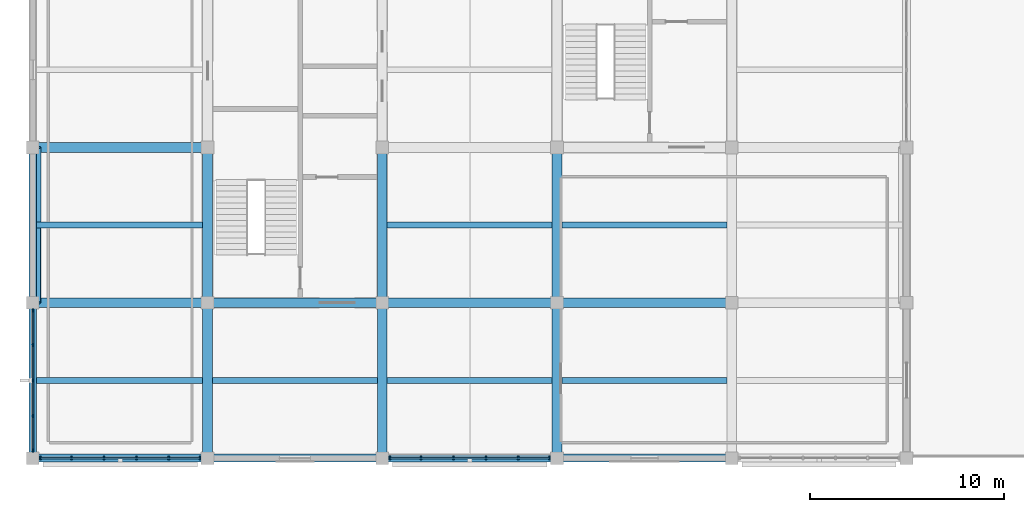
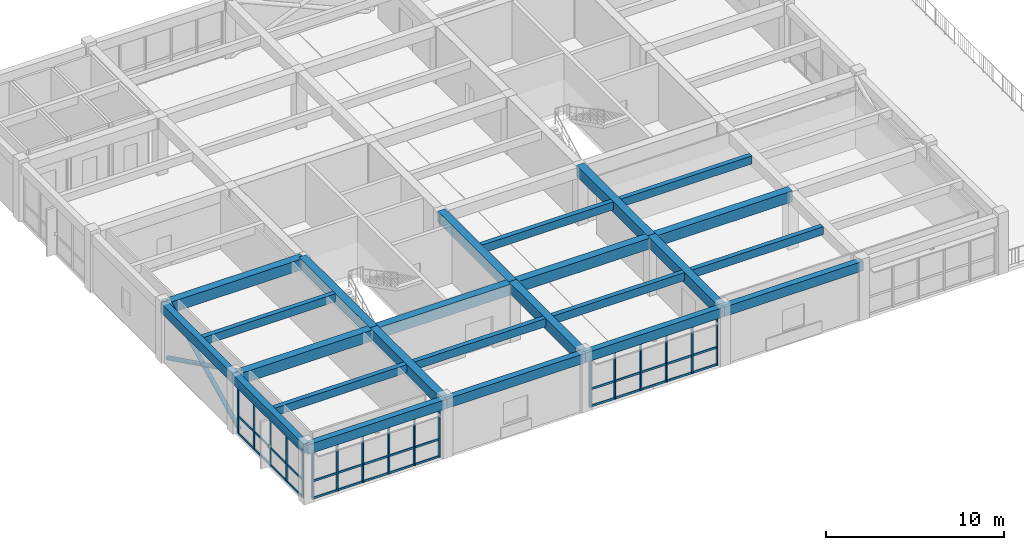
# One storey, part 2 of 12: 28 members, 24 beams, 3 elements without a shape of their own.
"""IFC4 building model written with IfcOpenShell, lengths in metres."""

from ifc_helpers import new_model, si_unit, direction, frame, origin, origin_2d, place, context, subcontext, project, spatial, rectangle, hollow_circle, extrude, material, material_profile, profile_set, type_object, element, aggregate, save


model = new_model("IFC4")

# Units and contexts
model_context = context("Model", 3, precision=1e-05, world=origin(), true_north=direction((0.0, 1.0)))
body_context = subcontext(model_context, "Body", "Model", "MODEL_VIEW")
ifc_project = project(units=[si_unit("LENGTHUNIT", "METRE"), si_unit("AREAUNIT", "SQUARE_METRE"), si_unit("VOLUMEUNIT", "CUBIC_METRE"), si_unit("PLANEANGLEUNIT", "RADIAN"), si_unit("MASSUNIT", "GRAM", prefix="KILO")], contexts=[model_context])

# Site, building, storey
site_placement = place(None, origin())
site = spatial("IfcSite", under=ifc_project, at=site_placement, CompositionType="ELEMENT")
building_placement = place(site_placement, origin())
building = spatial("IfcBuilding", under=site, at=building_placement, Name="Zaverband Oceanarium and Marine Research Institute", CompositionType="ELEMENT")
storey_placement = place(building_placement, frame((0.0, 0.0, 68.699951171875)))
storey = spatial("IfcBuildingStorey", under=building, at=storey_placement, Name="L17", CompositionType="ELEMENT", Elevation=68.699951171875)

# Beams
ifc_material_1 = material(Name="Concrete C40/50", Category="concrete")
ifc_material_profile_1 = material_profile(ifc_material_1, rectangle(XDim=0.5, YDim=0.75, at=origin_2d()), Name="RC500x750")
ifc_profile_set_1 = profile_set([ifc_material_profile_1], Name="Concrete C40/50")
beam_type_1 = type_object("IfcBeamType", Name="BM-500x750", PredefinedType="BEAM", material=ifc_profile_set_1)
for number, where, z_axis, x_axis, name in (
    (1, (9.0, 80.0, 3.56494140625), (1.0, 0.0, 0.0), (0.0, 1.0, 0.0), "Primary floor girder BM-500x750"),
    (2, (18.0, 80.0, 3.56494140625), (1.0, 0.0, 0.0), (0.0, 1.0, 0.0), "Primary floor girder BM-500x750"),
    (3, (27.0, 80.0, 3.56494140625), (1.0, 0.0, 0.0), (0.0, 1.0, 0.0), "Primary floor girder BM-500x750"),
    (4, (36.0, 80.0, 3.56494140625), (1.0, 0.0, 0.0), (0.0, 1.0, 0.0), "Primary floor girder BM-500x750"),
    (5, (9.0, 88.0, 3.56494140625), (1.0, 0.0, 0.0), (0.0, 1.0, 0.0), "Primary floor girder BM-500x750"),
):
    element("IfcBeam", number, at=place(storey_placement, frame(where, z_axis=z_axis, x_axis=x_axis)), inside=storey, type_object=beam_type_1, Name=name, PredefinedType="BEAM", context=body_context, shape_type="SweptSolid", body=[
        extrude(rectangle(XDim=0.5, YDim=0.75, at=origin_2d()), origin(), (0.0, 0.0, 1.0), 9.0),
    ])
for number, where, z_axis, x_axis, name in (
    (6, (18.0, 72.0, 3.56494140625), (0.0, 1.0, 0.0), (-1.0, 0.0, 0.0), "Primary floor girder BM-500x750"),
    (7, (18.0, 80.0, 3.56494140625), (0.0, 1.0, 0.0), (-1.0, 0.0, 0.0), "Primary floor girder BM-500x750"),
    (8, (27.0, 72.0, 3.56494140625), (0.0, 1.0, 0.0), (-1.0, 0.0, 0.0), "Primary floor girder BM-500x750"),
    (9, (27.0, 80.0, 3.56494140625), (0.0, 1.0, 0.0), (-1.0, 0.0, 0.0), "Primary floor girder BM-500x750"),
    (10, (36.0, 72.0, 3.56494140625), (0.0, 1.0, 0.0), (-1.0, 0.0, 0.0), "Primary floor girder BM-500x750"),
    (11, (36.0, 80.0, 3.56494140625), (0.0, 1.0, 0.0), (-1.0, 0.0, 0.0), "Primary floor girder BM-500x750"),
):
    element("IfcBeam", number, at=place(storey_placement, frame(where, z_axis=z_axis, x_axis=x_axis)), inside=storey, type_object=beam_type_1, Name=name, PredefinedType="BEAM", context=body_context, shape_type="SweptSolid", body=[
        extrude(rectangle(XDim=0.5, YDim=0.75, at=origin_2d()), origin(), (0.0, 0.0, 1.0), 8.0),
    ])

# Members
ifc_material_2 = material(Name="Steel S355", Category="steel")
ifc_material_profile_2 = material_profile(ifc_material_2, hollow_circle(Radius=0.136474609375, WallThickness=0.010009765625, at=origin_2d()), Name="CHS273x10")
ifc_profile_set_2 = profile_set([ifc_material_profile_2], Name="Steel S355")
member_type_1 = type_object("IfcMemberType", Name="BR-01", PredefinedType="BRACE", material=ifc_profile_set_2)
for number, where, z_axis, x_axis, name in (
    (12, (9.280029296875, 80.0, 0.0), (0.0, 0.897104905927, 0.441817595577), (-1.0, 0.0, 0.0), "Diagonal lateral brace BR-01"),
    (13, (9.280029296875, 88.0, 0.0), (0.0, -0.897104905927, 0.441817595577), (1.0, 0.0, 0.0), "Diagonal lateral brace BR-01"),
):
    element("IfcMember", number, at=place(storey_placement, frame(where, z_axis=z_axis, x_axis=x_axis)), inside=storey, type_object=member_type_1, Name=name, PredefinedType="BRACE", context=body_context, shape_type="SweptSolid", body=[
        extrude(hollow_circle(Radius=0.136474609375, WallThickness=0.010009765625, at=origin_2d()), origin(), (0.0, 0.0, 1.0), 8.91748046875),
    ])

# Beams
ifc_material_profile_3 = material_profile(ifc_material_1, rectangle(XDim=0.300048828125, YDim=0.550048828125, at=origin_2d()), Name="RC300x550")
ifc_profile_set_3 = profile_set([ifc_material_profile_3], Name="Concrete C40/50")
beam_type_2 = type_object("IfcBeamType", Name="JST-300x550", PredefinedType="JOIST", material=ifc_profile_set_3)
for number, where, z_axis, x_axis, name in (
    (14, (9.199951171875, 76.0, 3.6650390625), (1.0, 0.0, 0.0), (0.0, 1.0, 0.0), "Secondary floor joist JST-300x550"),
    (15, (9.199951171875, 84.0, 3.6650390625), (1.0, 0.0, 0.0), (0.0, 1.0, 0.0), "Secondary floor joist JST-300x550"),
):
    element("IfcBeam", number, at=place(storey_placement, frame(where, z_axis=z_axis, x_axis=x_axis)), inside=storey, type_object=beam_type_2, Name=name, PredefinedType="JOIST", context=body_context, shape_type="SweptSolid", body=[
        extrude(rectangle(XDim=0.300048828125, YDim=0.550048828125, at=origin_2d()), origin(), (0.0, 0.0, 1.0), 8.550048828125),
    ])
for number, where, z_axis, x_axis, name in (
    (16, (18.25, 76.0, 3.6650390625), (1.0, 0.0, 0.0), (0.0, 1.0, 0.0), "Secondary floor joist JST-300x550"),
    (17, (27.25, 76.0, 3.6650390625), (1.0, 0.0, 0.0), (0.0, 1.0, 0.0), "Secondary floor joist JST-300x550"),
    (18, (27.25, 84.0, 3.6650390625), (1.0, 0.0, 0.0), (0.0, 1.0, 0.0), "Secondary floor joist JST-300x550"),
    (19, (36.25, 76.0, 3.6650390625), (1.0, 0.0, 0.0), (0.0, 1.0, 0.0), "Secondary floor joist JST-300x550"),
    (20, (36.25, 84.0, 3.6650390625), (1.0, 0.0, 0.0), (0.0, 1.0, 0.0), "Secondary floor joist JST-300x550"),
):
    element("IfcBeam", number, at=place(storey_placement, frame(where, z_axis=z_axis, x_axis=x_axis)), inside=storey, type_object=beam_type_2, Name=name, PredefinedType="JOIST", context=body_context, shape_type="SweptSolid", body=[
        extrude(rectangle(XDim=0.300048828125, YDim=0.550048828125, at=origin_2d()), origin(), (0.0, 0.0, 1.0), 8.5),
    ])

# Curtain wall, members
ifc_material_3 = material(Name="Thermally broken anodized aluminium and solar-control glass", Category="aluminium")
curtain_wall_type = type_object("IfcCurtainWallType", Name="CW-UNIT-1800", PredefinedType="NOTDEFINED", material=ifc_material_3)
curtain_wall_1_placement = place(storey_placement, origin())
curtain_wall_1 = element("IfcCurtainWall", 21, at=curtain_wall_1_placement, inside=storey, type_object=curtain_wall_type, Name="Unitised glazed curtain wall CW-174", PredefinedType="NOTDEFINED")
ifc_material_4 = material(Name="Thermally broken anodized aluminium", Category="aluminium")
ifc_material_profile_4 = material_profile(ifc_material_4, rectangle(XDim=0.080078125, YDim=0.179931640625, at=origin_2d()), Name="AL-MUL-80x180")
ifc_profile_set_4 = profile_set([ifc_material_profile_4], Name="Thermally broken anodized aluminium")
member_type_2 = type_object("IfcMemberType", Name="MUL-80x180", PredefinedType="MULLION", material=ifc_profile_set_4)
member_1_placement = place(storey_placement, frame((9.389892578125, 72.0, 0.0), z_axis=(0.0, 0.0, 1.0), x_axis=(1.0, 0.0, 0.0)))
member_1 = element("IfcMember", 22, at=member_1_placement, type_object=member_type_2, Name="Curtain wall vertical mullion MUL-80x180", PredefinedType="MULLION", context=body_context, shape_type="SweptSolid", body=[
    extrude(rectangle(XDim=0.080078125, YDim=0.179931640625, at=origin_2d()), origin(), (0.0, 0.0, 1.0), 3.27001953125),
])
member_2_placement = place(storey_placement, frame((10.998046875, 72.0, 0.0), z_axis=(0.0, 0.0, 1.0), x_axis=(1.0, 0.0, 0.0)))
member_2 = element("IfcMember", 23, at=member_2_placement, type_object=member_type_2, Name="Curtain wall vertical mullion MUL-80x180", PredefinedType="MULLION", context=body_context, shape_type="SweptSolid", body=[
    extrude(rectangle(XDim=0.080078125, YDim=0.179931640625, at=origin_2d()), origin(), (0.0, 0.0, 1.0), 3.27001953125),
])
member_3_placement = place(storey_placement, frame((12.666015625, 72.0, 0.0), z_axis=(0.0, 0.0, 1.0), x_axis=(1.0, 0.0, 0.0)))
member_3 = element("IfcMember", 24, at=member_3_placement, type_object=member_type_2, Name="Curtain wall vertical mullion MUL-80x180", PredefinedType="MULLION", context=body_context, shape_type="SweptSolid", body=[
    extrude(rectangle(XDim=0.080078125, YDim=0.179931640625, at=origin_2d()), origin(), (0.0, 0.0, 1.0), 3.27001953125),
])
member_4_placement = place(storey_placement, frame((14.333984375, 72.0, 0.0), z_axis=(0.0, 0.0, 1.0), x_axis=(1.0, 0.0, 0.0)))
member_4 = element("IfcMember", 25, at=member_4_placement, type_object=member_type_2, Name="Curtain wall vertical mullion MUL-80x180", PredefinedType="MULLION", context=body_context, shape_type="SweptSolid", body=[
    extrude(rectangle(XDim=0.080078125, YDim=0.179931640625, at=origin_2d()), origin(), (0.0, 0.0, 1.0), 3.27001953125),
])
member_5_placement = place(storey_placement, frame((16.001953125, 72.0, 0.0), z_axis=(0.0, 0.0, 1.0), x_axis=(1.0, 0.0, 0.0)))
member_5 = element("IfcMember", 26, at=member_5_placement, type_object=member_type_2, Name="Curtain wall vertical mullion MUL-80x180", PredefinedType="MULLION", context=body_context, shape_type="SweptSolid", body=[
    extrude(rectangle(XDim=0.080078125, YDim=0.179931640625, at=origin_2d()), origin(), (0.0, 0.0, 1.0), 3.27001953125),
])
member_6_placement = place(storey_placement, frame((17.610107421875, 72.0, 0.0), z_axis=(0.0, 0.0, 1.0), x_axis=(1.0, 0.0, 0.0)))
member_6 = element("IfcMember", 27, at=member_6_placement, type_object=member_type_2, Name="Curtain wall vertical mullion MUL-80x180", PredefinedType="MULLION", context=body_context, shape_type="SweptSolid", body=[
    extrude(rectangle(XDim=0.080078125, YDim=0.179931640625, at=origin_2d()), origin(), (0.0, 0.0, 1.0), 3.27001953125),
])

curtain_wall_2_placement = place(storey_placement, origin())
curtain_wall_2 = element("IfcCurtainWall", 28, at=curtain_wall_2_placement, inside=storey, type_object=curtain_wall_type, Name="Unitised glazed curtain wall CW-175", PredefinedType="NOTDEFINED")
member_7_placement = place(storey_placement, frame((27.389892578125, 72.0, 0.0), z_axis=(0.0, 0.0, 1.0), x_axis=(1.0, 0.0, 0.0)))
member_7 = element("IfcMember", 29, at=member_7_placement, type_object=member_type_2, Name="Curtain wall vertical mullion MUL-80x180", PredefinedType="MULLION", context=body_context, shape_type="SweptSolid", body=[
    extrude(rectangle(XDim=0.080078125, YDim=0.179931640625, at=origin_2d()), origin(), (0.0, 0.0, 1.0), 3.27001953125),
])
member_8_placement = place(storey_placement, frame((28.998046875, 72.0, 0.0), z_axis=(0.0, 0.0, 1.0), x_axis=(1.0, 0.0, 0.0)))
member_8 = element("IfcMember", 30, at=member_8_placement, type_object=member_type_2, Name="Curtain wall vertical mullion MUL-80x180", PredefinedType="MULLION", context=body_context, shape_type="SweptSolid", body=[
    extrude(rectangle(XDim=0.080078125, YDim=0.179931640625, at=origin_2d()), origin(), (0.0, 0.0, 1.0), 3.27001953125),
])
member_9_placement = place(storey_placement, frame((30.666015625, 72.0, 0.0), z_axis=(0.0, 0.0, 1.0), x_axis=(1.0, 0.0, 0.0)))
member_9 = element("IfcMember", 31, at=member_9_placement, type_object=member_type_2, Name="Curtain wall vertical mullion MUL-80x180", PredefinedType="MULLION", context=body_context, shape_type="SweptSolid", body=[
    extrude(rectangle(XDim=0.080078125, YDim=0.179931640625, at=origin_2d()), origin(), (0.0, 0.0, 1.0), 3.27001953125),
])
member_10_placement = place(storey_placement, frame((32.333984375, 72.0, 0.0), z_axis=(0.0, 0.0, 1.0), x_axis=(1.0, 0.0, 0.0)))
member_10 = element("IfcMember", 32, at=member_10_placement, type_object=member_type_2, Name="Curtain wall vertical mullion MUL-80x180", PredefinedType="MULLION", context=body_context, shape_type="SweptSolid", body=[
    extrude(rectangle(XDim=0.080078125, YDim=0.179931640625, at=origin_2d()), origin(), (0.0, 0.0, 1.0), 3.27001953125),
])
member_11_placement = place(storey_placement, frame((34.001953125, 72.0, 0.0), z_axis=(0.0, 0.0, 1.0), x_axis=(1.0, 0.0, 0.0)))
member_11 = element("IfcMember", 33, at=member_11_placement, type_object=member_type_2, Name="Curtain wall vertical mullion MUL-80x180", PredefinedType="MULLION", context=body_context, shape_type="SweptSolid", body=[
    extrude(rectangle(XDim=0.080078125, YDim=0.179931640625, at=origin_2d()), origin(), (0.0, 0.0, 1.0), 3.27001953125),
])
member_12_placement = place(storey_placement, frame((35.610107421875, 72.0, 0.0), z_axis=(0.0, 0.0, 1.0), x_axis=(1.0, 0.0, 0.0)))
member_12 = element("IfcMember", 34, at=member_12_placement, type_object=member_type_2, Name="Curtain wall vertical mullion MUL-80x180", PredefinedType="MULLION", context=body_context, shape_type="SweptSolid", body=[
    extrude(rectangle(XDim=0.080078125, YDim=0.179931640625, at=origin_2d()), origin(), (0.0, 0.0, 1.0), 3.27001953125),
])

curtain_wall_3_placement = place(storey_placement, origin())
curtain_wall_3 = element("IfcCurtainWall", 35, at=curtain_wall_3_placement, inside=storey, type_object=curtain_wall_type, Name="Unitised glazed curtain wall CW-180", PredefinedType="NOTDEFINED")
member_13_placement = place(storey_placement, frame((9.0, 72.389892578125, 0.0), z_axis=(0.0, 0.0, 1.0), x_axis=(1.0, 0.0, 0.0)))
member_13 = element("IfcMember", 36, at=member_13_placement, type_object=member_type_2, Name="Curtain wall vertical mullion MUL-80x180", PredefinedType="MULLION", context=body_context, shape_type="SweptSolid", body=[
    extrude(rectangle(XDim=0.080078125, YDim=0.179931640625, at=origin_2d()), origin(), (0.0, 0.0, 1.0), 3.27001953125),
])
member_14_placement = place(storey_placement, frame((9.0, 74.1650390625, 0.0), z_axis=(0.0, 0.0, 1.0), x_axis=(1.0, 0.0, 0.0)))
member_14 = element("IfcMember", 37, at=member_14_placement, type_object=member_type_2, Name="Curtain wall vertical mullion MUL-80x180", PredefinedType="MULLION", context=body_context, shape_type="SweptSolid", body=[
    extrude(rectangle(XDim=0.080078125, YDim=0.179931640625, at=origin_2d()), origin(), (0.0, 0.0, 1.0), 3.27001953125),
])
member_15_placement = place(storey_placement, frame((9.0, 76.0, 0.0), z_axis=(0.0, 0.0, 1.0), x_axis=(1.0, 0.0, 0.0)))
member_15 = element("IfcMember", 38, at=member_15_placement, type_object=member_type_2, Name="Curtain wall vertical mullion MUL-80x180", PredefinedType="MULLION", context=body_context, shape_type="SweptSolid", body=[
    extrude(rectangle(XDim=0.080078125, YDim=0.179931640625, at=origin_2d()), origin(), (0.0, 0.0, 1.0), 3.27001953125),
])
member_16_placement = place(storey_placement, frame((9.0, 77.8349609375, 0.0), z_axis=(0.0, 0.0, 1.0), x_axis=(1.0, 0.0, 0.0)))
member_16 = element("IfcMember", 39, at=member_16_placement, type_object=member_type_2, Name="Curtain wall vertical mullion MUL-80x180", PredefinedType="MULLION", context=body_context, shape_type="SweptSolid", body=[
    extrude(rectangle(XDim=0.080078125, YDim=0.179931640625, at=origin_2d()), origin(), (0.0, 0.0, 1.0), 3.27001953125),
])
member_17_placement = place(storey_placement, frame((9.0, 79.610107421875, 0.0), z_axis=(0.0, 0.0, 1.0), x_axis=(1.0, 0.0, 0.0)))
member_17 = element("IfcMember", 40, at=member_17_placement, type_object=member_type_2, Name="Curtain wall vertical mullion MUL-80x180", PredefinedType="MULLION", context=body_context, shape_type="SweptSolid", body=[
    extrude(rectangle(XDim=0.080078125, YDim=0.179931640625, at=origin_2d()), origin(), (0.0, 0.0, 1.0), 3.27001953125),
])

# Beams
ifc_material_profile_5 = material_profile(ifc_material_1, rectangle(XDim=0.39990234375, YDim=0.64990234375, at=origin_2d()), Name="RC400x650")
ifc_profile_set_5 = profile_set([ifc_material_profile_5], Name="Concrete C40/50")
beam_type_3 = type_object("IfcBeamType", Name="SPN-400x650", PredefinedType="SPANDREL", material=ifc_profile_set_5)
for number, where, z_axis, x_axis, name in (
    (41, (9.0, 72.0, 3.614990234375), (1.0, 0.0, 0.0), (0.0, 1.0, 0.0), "Perimeter spandrel beam SPN-400x650"),
    (42, (18.0, 72.0, 3.614990234375), (1.0, 0.0, 0.0), (0.0, 1.0, 0.0), "Perimeter spandrel beam SPN-400x650"),
    (43, (27.0, 72.0, 3.614990234375), (1.0, 0.0, 0.0), (0.0, 1.0, 0.0), "Perimeter spandrel beam SPN-400x650"),
    (44, (36.0, 72.0, 3.614990234375), (1.0, 0.0, 0.0), (0.0, 1.0, 0.0), "Perimeter spandrel beam SPN-400x650"),
):
    element("IfcBeam", number, at=place(storey_placement, frame(where, z_axis=z_axis, x_axis=x_axis)), inside=storey, type_object=beam_type_3, Name=name, PredefinedType="SPANDREL", context=body_context, shape_type="SweptSolid", body=[
        extrude(rectangle(XDim=0.39990234375, YDim=0.64990234375, at=origin_2d()), origin(), (0.0, 0.0, 1.0), 9.0),
    ])
for number, where, z_axis, x_axis, name in (
    (45, (9.0, 72.0, 3.614990234375), (0.0, 1.0, 0.0), (-1.0, 0.0, 0.0), "Perimeter spandrel beam SPN-400x650"),
    (46, (9.0, 80.0, 3.614990234375), (0.0, 1.0, 0.0), (-1.0, 0.0, 0.0), "Perimeter spandrel beam SPN-400x650"),
):
    element("IfcBeam", number, at=place(storey_placement, frame(where, z_axis=z_axis, x_axis=x_axis)), inside=storey, type_object=beam_type_3, Name=name, PredefinedType="SPANDREL", context=body_context, shape_type="SweptSolid", body=[
        extrude(rectangle(XDim=0.39990234375, YDim=0.64990234375, at=origin_2d()), origin(), (0.0, 0.0, 1.0), 8.0),
    ])

# Member
ifc_material_profile_6 = material_profile(ifc_material_4, rectangle(XDim=0.080078125, YDim=0.139892578125, at=origin_2d()), Name="AL-TRN-80x140")
ifc_profile_set_6 = profile_set([ifc_material_profile_6], Name="Thermally broken anodized aluminium")
member_type_3 = type_object("IfcMemberType", Name="TRN-80x140", PredefinedType="USERDEFINED", material=ifc_profile_set_6)
member_18_placement = place(storey_placement, frame((9.389892578125, 72.0, 0.050048828125), z_axis=(1.0, 0.0, 0.0), x_axis=(0.0, 1.0, 0.0)))
member_18 = element("IfcMember", 47, at=member_18_placement, type_object=member_type_3, Name="Curtain wall horizontal transom TRN-80x140", ObjectType="TRANSOM", PredefinedType="USERDEFINED", context=body_context, shape_type="SweptSolid", body=[
    extrude(rectangle(XDim=0.080078125, YDim=0.139892578125, at=origin_2d()), origin(), (0.0, 0.0, 1.0), 8.22021484375),
])

member_19_placement = place(storey_placement, frame((9.389892578125, 72.0, 1.22412109375), z_axis=(1.0, 0.0, 0.0), x_axis=(0.0, 1.0, 0.0)))
member_19 = element("IfcMember", 48, at=member_19_placement, type_object=member_type_3, Name="Curtain wall horizontal transom TRN-80x140", ObjectType="TRANSOM", PredefinedType="USERDEFINED", context=body_context, shape_type="SweptSolid", body=[
    extrude(rectangle(XDim=0.080078125, YDim=0.139892578125, at=origin_2d()), origin(), (0.0, 0.0, 1.0), 8.22021484375),
])

member_20_placement = place(storey_placement, frame((9.389892578125, 72.0, 3.219970703125), z_axis=(1.0, 0.0, 0.0), x_axis=(0.0, 1.0, 0.0)))
member_20 = element("IfcMember", 49, at=member_20_placement, type_object=member_type_3, Name="Curtain wall horizontal transom TRN-80x140", ObjectType="TRANSOM", PredefinedType="USERDEFINED", context=body_context, shape_type="SweptSolid", body=[
    extrude(rectangle(XDim=0.080078125, YDim=0.139892578125, at=origin_2d()), origin(), (0.0, 0.0, 1.0), 8.22021484375),
])

aggregate(curtain_wall_1, [member_1, member_2, member_3, member_4, member_5, member_6, member_18, member_19, member_20])

member_21_placement = place(storey_placement, frame((27.389892578125, 72.0, 0.050048828125), z_axis=(1.0, 0.0, 0.0), x_axis=(0.0, 1.0, 0.0)))
member_21 = element("IfcMember", 50, at=member_21_placement, type_object=member_type_3, Name="Curtain wall horizontal transom TRN-80x140", ObjectType="TRANSOM", PredefinedType="USERDEFINED", context=body_context, shape_type="SweptSolid", body=[
    extrude(rectangle(XDim=0.080078125, YDim=0.139892578125, at=origin_2d()), origin(), (0.0, 0.0, 1.0), 8.22021484375),
])

member_22_placement = place(storey_placement, frame((27.389892578125, 72.0, 1.22412109375), z_axis=(1.0, 0.0, 0.0), x_axis=(0.0, 1.0, 0.0)))
member_22 = element("IfcMember", 51, at=member_22_placement, type_object=member_type_3, Name="Curtain wall horizontal transom TRN-80x140", ObjectType="TRANSOM", PredefinedType="USERDEFINED", context=body_context, shape_type="SweptSolid", body=[
    extrude(rectangle(XDim=0.080078125, YDim=0.139892578125, at=origin_2d()), origin(), (0.0, 0.0, 1.0), 8.22021484375),
])

member_23_placement = place(storey_placement, frame((27.389892578125, 72.0, 3.219970703125), z_axis=(1.0, 0.0, 0.0), x_axis=(0.0, 1.0, 0.0)))
member_23 = element("IfcMember", 52, at=member_23_placement, type_object=member_type_3, Name="Curtain wall horizontal transom TRN-80x140", ObjectType="TRANSOM", PredefinedType="USERDEFINED", context=body_context, shape_type="SweptSolid", body=[
    extrude(rectangle(XDim=0.080078125, YDim=0.139892578125, at=origin_2d()), origin(), (0.0, 0.0, 1.0), 8.22021484375),
])

aggregate(curtain_wall_2, [member_7, member_8, member_9, member_10, member_11, member_12, member_21, member_22, member_23])

member_24_placement = place(storey_placement, frame((9.0, 72.389892578125, 0.050048828125), z_axis=(0.0, 1.0, 0.0), x_axis=(-1.0, 0.0, 0.0)))
member_24 = element("IfcMember", 53, at=member_24_placement, type_object=member_type_3, Name="Curtain wall horizontal transom TRN-80x140", ObjectType="TRANSOM", PredefinedType="USERDEFINED", context=body_context, shape_type="SweptSolid", body=[
    extrude(rectangle(XDim=0.080078125, YDim=0.139892578125, at=origin_2d()), origin(), (0.0, 0.0, 1.0), 7.22021484375),
])

member_25_placement = place(storey_placement, frame((9.0, 72.389892578125, 1.22412109375), z_axis=(0.0, 1.0, 0.0), x_axis=(-1.0, 0.0, 0.0)))
member_25 = element("IfcMember", 54, at=member_25_placement, type_object=member_type_3, Name="Curtain wall horizontal transom TRN-80x140", ObjectType="TRANSOM", PredefinedType="USERDEFINED", context=body_context, shape_type="SweptSolid", body=[
    extrude(rectangle(XDim=0.080078125, YDim=0.139892578125, at=origin_2d()), origin(), (0.0, 0.0, 1.0), 7.22021484375),
])

member_26_placement = place(storey_placement, frame((9.0, 72.389892578125, 3.219970703125), z_axis=(0.0, 1.0, 0.0), x_axis=(-1.0, 0.0, 0.0)))
member_26 = element("IfcMember", 55, at=member_26_placement, type_object=member_type_3, Name="Curtain wall horizontal transom TRN-80x140", ObjectType="TRANSOM", PredefinedType="USERDEFINED", context=body_context, shape_type="SweptSolid", body=[
    extrude(rectangle(XDim=0.080078125, YDim=0.139892578125, at=origin_2d()), origin(), (0.0, 0.0, 1.0), 7.22021484375),
])

aggregate(curtain_wall_3, [member_13, member_14, member_15, member_16, member_17, member_24, member_25, member_26])

save(model, "model.ifc")
